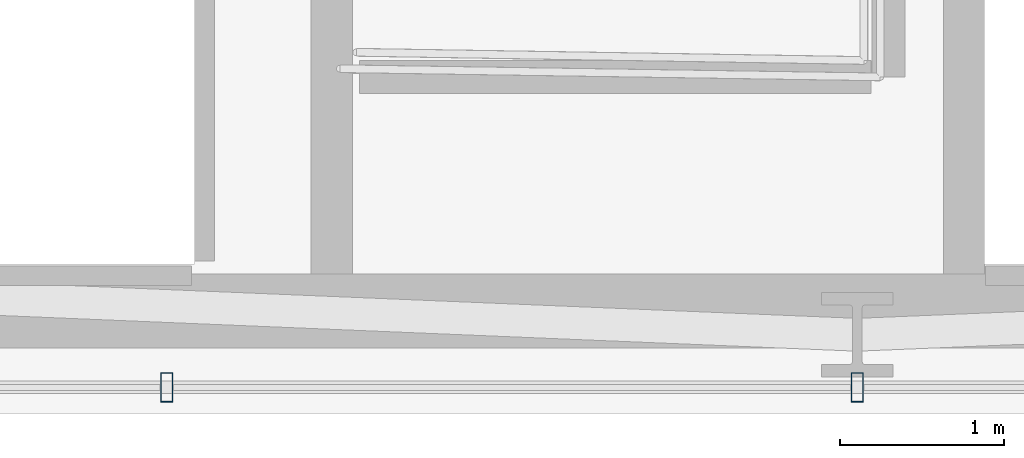
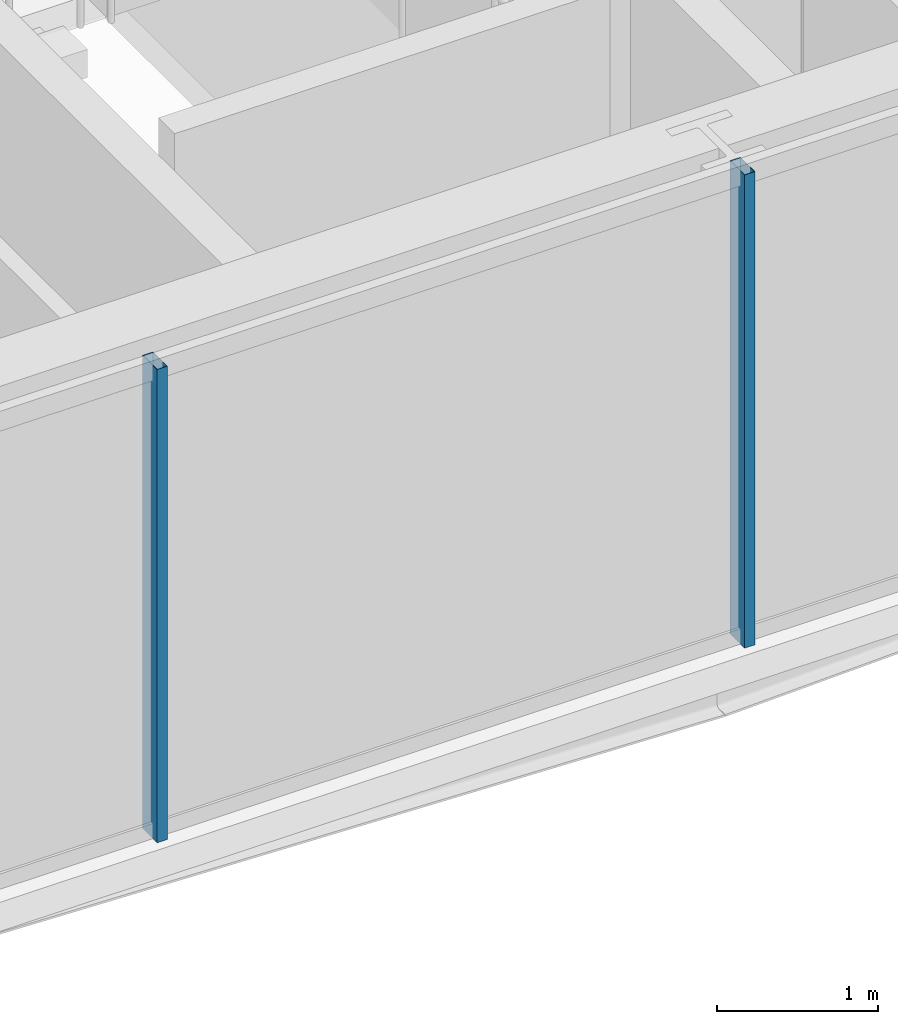
# One storey, part 7 of 31: 2 members, 1 element without a shape of its own.
"""IFC4 building model written with IfcOpenShell, lengths in metres."""

from ifc_helpers import new_model, si_unit, direction, frame, origin, origin_2d, place, context, subcontext, project, spatial, hollow_rectangle, extrude, material, layer, layer_set, material_profile, profile_set, type_object, element, aggregate, save


model = new_model("IFC4")

# Units and contexts
model_context = context("Model", 3, precision=1e-05, world=origin(), true_north=direction((0.0, 1.0)))
body_context = subcontext(model_context, "Body", "Model", "MODEL_VIEW")
ifc_project = project(units=[si_unit("LENGTHUNIT", "METRE"), si_unit("AREAUNIT", "SQUARE_METRE"), si_unit("VOLUMEUNIT", "CUBIC_METRE"), si_unit("PLANEANGLEUNIT", "RADIAN"), si_unit("MASSUNIT", "GRAM", prefix="KILO")], contexts=[model_context])

# Site, building, storey
site_placement = place(None, origin())
site = spatial("IfcSite", under=ifc_project, at=site_placement, CompositionType="ELEMENT")
building_placement = place(site_placement, origin())
building = spatial("IfcBuilding", under=site, at=building_placement, Name="Ndaravel Arena Tower", CompositionType="ELEMENT")
storey_placement = place(building_placement, frame((0.0, 0.0, 104.39990234375)))
storey = spatial("IfcBuildingStorey", under=building, at=storey_placement, Name="L24", CompositionType="ELEMENT", Elevation=104.39990234375)

# Curtain wall, members
ifc_material_1 = material(Name="Aluminium", Category="aluminium")
ifc_layer = layer(ifc_material_1, 0.179931640625)
ifc_layer_set = layer_set([ifc_layer], Name="Aluminium")
curtain_wall_type = type_object("IfcCurtainWallType", Name="CW-SYS-03", PredefinedType="NOTDEFINED", material=ifc_layer_set)
curtain_wall_placement = place(storey_placement, origin())
curtain_wall = element("IfcCurtainWall", 1, at=curtain_wall_placement, inside=storey, type_object=curtain_wall_type, Name="L24 Faceted Crystal Curtain Wall CW-L24-E01", PredefinedType="NOTDEFINED")
ifc_material_2 = material(Name="Aluminium", Category="aluminium")
ifc_material_profile = material_profile(ifc_material_2, hollow_rectangle(XDim=0.074951171875, YDim=0.179931640625, WallThickness=0.00390625, at=origin_2d()), Name="CW MULLION 75x180x4")
ifc_profile_set = profile_set([ifc_material_profile], Name="Aluminium")
member_type = type_object("IfcMemberType", Name="MEM-CW-MUL180", PredefinedType="MULLION", material=ifc_profile_set)
member_1_placement = place(storey_placement, frame((37.79541015625, 5.159912109375, 0.0), z_axis=(0.0, 0.0, 1.0), x_axis=(1.0, 0.0, 0.0)))
member_1 = element("IfcMember", 2, at=member_1_placement, type_object=member_type, Name="CW-L24-E01 Mullion 03", PredefinedType="MULLION", context=body_context, shape_type="SweptSolid", body=[
    extrude(hollow_rectangle(XDim=0.074951171875, YDim=0.179931640625, WallThickness=0.00390625, at=origin_2d()), origin(), (0.0, 0.0, 1.0), 3.580078125),
])
member_2_placement = place(storey_placement, frame((42.0, 5.159912109375, 0.0), z_axis=(0.0, 0.0, 1.0), x_axis=(1.0, 0.0, 0.0)))
member_2 = element("IfcMember", 3, at=member_2_placement, type_object=member_type, Name="CW-L24-E01 Mullion 04", PredefinedType="MULLION", context=body_context, shape_type="SweptSolid", body=[
    extrude(hollow_rectangle(XDim=0.074951171875, YDim=0.179931640625, WallThickness=0.00390625, at=origin_2d()), origin(), (0.0, 0.0, 1.0), 3.580078125),
])
aggregate(curtain_wall, [member_1, member_2])

save(model, "model.ifc")
